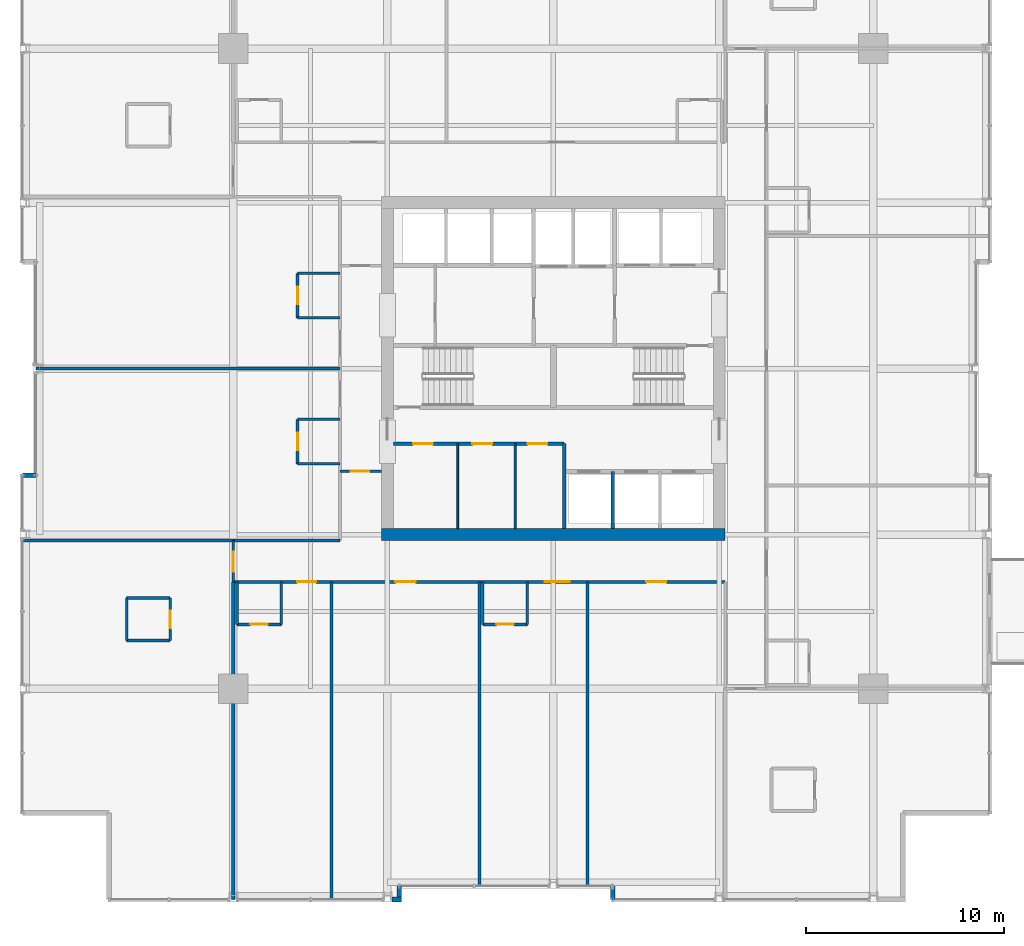
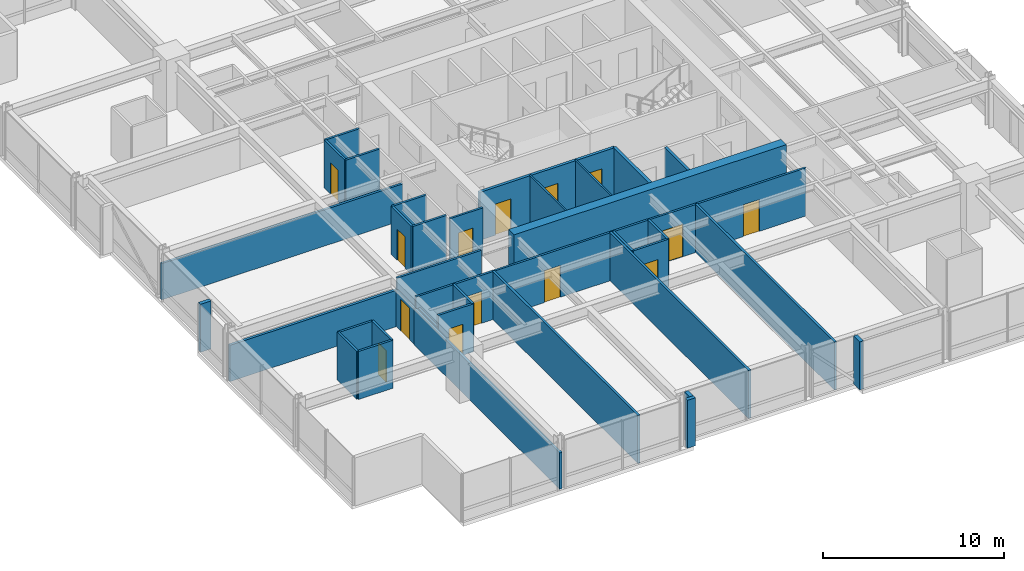
# One storey, part 28 of 34: 36 walls, 14 doors, 14 openings.
"""IFC4 building model written with IfcOpenShell, lengths in metres."""

from ifc_helpers import new_model, si_unit, direction, frame, frame_2d, origin, place, context, subcontext, project, spatial, rectangle, extrude, material, layer, layer_set, type_object, element, fill, save


model = new_model("IFC4")

# Units and contexts
model_context = context("Model", 3, precision=1e-05, world=origin(), true_north=direction((0.0, 1.0)))
body_context = subcontext(model_context, "Body", "Model", "MODEL_VIEW")
ifc_project = project(units=[si_unit("LENGTHUNIT", "METRE"), si_unit("AREAUNIT", "SQUARE_METRE"), si_unit("VOLUMEUNIT", "CUBIC_METRE"), si_unit("PLANEANGLEUNIT", "RADIAN"), si_unit("MASSUNIT", "GRAM", prefix="KILO")], contexts=[model_context])

# Site, building, storey
site_placement = place(None, origin())
site = spatial("IfcSite", under=ifc_project, at=site_placement, CompositionType="ELEMENT")
building_placement = place(site_placement, origin())
building = spatial("IfcBuilding", under=site, at=building_placement, Name="Drelvath Grand Hotel", CompositionType="ELEMENT")
storey_placement = place(building_placement, frame((0.0, 0.0, 116.300048828125)))
storey = spatial("IfcBuildingStorey", under=building, at=storey_placement, Name="L29", CompositionType="ELEMENT", Elevation=116.300048828125)

# Walls
ifc_material_1 = material(Name="Gypsum Partition Board")
ifc_layer_1 = layer(ifc_material_1, 0.10009765625)
ifc_layer_set_1 = layer_set([ifc_layer_1], Name="Gypsum Partition Board")
wall_type_1 = type_object("IfcWallType", Name="Core Closet Partition 100", PredefinedType="PARTITIONING", material=ifc_layer_set_1)
for number, where, z_axis, x_axis, name in (
    (1, (-4.840087890625, 18.89990234375, 0.0), (0.0, 0.0, 1.0), (0.0, 1.0, 0.0), "L29 Reclaimed Split 1"),
    (2, (-1.93994140625, 18.89990234375, 0.0), (0.0, 0.0, 1.0), (0.0, 1.0, 0.0), "L29 Reclaimed Split 2"),
):
    element("IfcWall", number, at=place(storey_placement, frame(where, z_axis=z_axis, x_axis=x_axis)), inside=storey, type_object=wall_type_1, Name=name, PredefinedType="PARTITIONING", context=body_context, shape_type="SweptSolid", body=[
        extrude(rectangle(XDim=4.300048828125, YDim=0.10009765625, at=frame_2d((2.14990234375, 0.0))), origin(), (0.0, 0.0, 1.0), 3.239990234375),
    ])
ifc_material_2 = material(Name="Concrete C40/50", Category="concrete")
ifc_layer_2 = layer(ifc_material_2, 0.199951171875)
ifc_layer_set_2 = layer_set([ifc_layer_2], Name="Concrete C40/50")
wall_type_2 = type_object("IfcWallType", Name="Core Hoistway Fire Wall 200", PredefinedType="SOLIDWALL", material=ifc_layer_set_2)
wall_1_placement = place(storey_placement, frame((0.550048828125, 18.89990234375, 0.0), z_axis=(0.0, 0.0, 1.0), x_axis=(0.0, 1.0, 0.0)))
element("IfcWall", 3, at=wall_1_placement, inside=storey, type_object=wall_type_2, Name="L29 Bank 2 West Wall", PredefinedType="SOLIDWALL", context=body_context, shape_type="SweptSolid", body=[
    extrude(rectangle(XDim=4.300048828125, YDim=0.199951171875, at=frame_2d((2.14990234375, 0.0))), origin(), (0.0, 0.0, 1.0), 3.239990234375),
])
ifc_material_3 = material(Name="Gypsum Fireboard Partition")
ifc_layer_3 = layer(ifc_material_3, 0.1650390625)
ifc_layer_set_3 = layer_set([ifc_layer_3], Name="Gypsum Fireboard Partition")
wall_type_3 = type_object("IfcWallType", Name="Core Shaft Partition 165", PredefinedType="PARTITIONING", material=ifc_layer_set_3)
wall_2_placement = place(storey_placement, frame((3.0, 18.89990234375, 0.0), z_axis=(0.0, 0.0, 1.0), x_axis=(0.0, 1.0, 0.0)))
element("IfcWall", 4, at=wall_2_placement, inside=storey, type_object=wall_type_3, Name="L29 Lift PE-4/5 Divider", PredefinedType="PARTITIONING", context=body_context, shape_type="SweptSolid", body=[
    extrude(rectangle(XDim=2.880126953125, YDim=0.1650390625, at=frame_2d((1.43994140625, 0.0))), origin(), (0.0, 0.0, 1.0), 3.239990234375),
])

# Wall, opening, door
ifc_layer_4 = layer(ifc_material_3, 0.135009765625)
ifc_layer_set_4 = layer_set([ifc_layer_4], Name="Gypsum Fireboard Partition")
wall_type_4 = type_object("IfcWallType", Name="Corridor Fire Barrier Wall 135", PredefinedType="PARTITIONING", material=ifc_layer_set_4)
wall_3_placement = place(storey_placement, frame((-10.800048828125, 21.800048828125, 0.0), z_axis=(0.0, 0.0, 1.0), x_axis=(1.0, 0.0, 0.0)))
wall_3 = element("IfcWall", 5, at=wall_3_placement, inside=storey, type_object=wall_type_4, Name="L29 West Foyer South Wall", PredefinedType="PARTITIONING", context=body_context, shape_type="SweptSolid", body=[
    extrude(rectangle(XDim=2.10009765625, YDim=0.135009765625, at=frame_2d((1.050048828125, 0.0))), origin(), (0.0, 0.0, 1.0), 3.239990234375),
])
opening_1_placement = place(wall_3_placement, frame((0.550048828125, 0.0, 0.0)))
opening_1 = element("IfcOpeningElement", 6, at=opening_1_placement, cuts=wall_3, Name="Opening D-T2G3-019", PredefinedType="OPENING", context=body_context, shape_type="SweptSolid", body=[
    extrude(rectangle(XDim=0.919921875, YDim=2.10009765625, at=frame_2d((0.4599609375, 1.050048828125))), frame((0.0, 0.077392578125, 0.0), z_axis=(0.0, -1.0, 0.0), x_axis=(1.0, 0.0, 0.0)), (0.0, 0.0, 1.0), 0.155029296875),
])
ifc_material_4 = material(Name="Painted Steel S275", Category="steel")
door_type_1 = type_object("IfcDoorType", Name="Staff Utility Door 920x2100", OperationType="NOTDEFINED", PredefinedType="DOOR", material=ifc_material_4)
door_1_placement = place(opening_1_placement, origin())
door_1 = element("IfcDoor", 7, at=door_1_placement, inside=storey, type_object=door_type_1, Name="L29 West Linen Closet Door", OperationType="SINGLE_SWING_RIGHT", OverallHeight=2.10009765625, OverallWidth=0.919921875, PredefinedType="DOOR", context=body_context, shape_type="SweptSolid", body=[
    extrude(rectangle(XDim=0.919921875, YDim=2.10009765625, at=frame_2d((0.4599609375, 1.050048828125))), frame((0.0, 0.02490234375, 0.0), z_axis=(0.0, -1.0, 0.0), x_axis=(1.0, 0.0, 0.0)), (0.0, 0.0, 1.0), 0.050048828125),
])
fill(opening_1, door_1)

# Wall
wall_4_placement = place(storey_placement, frame((-16.199951171875, 18.300048828125, 0.0), z_axis=(0.0, 0.0, 1.0), x_axis=(1.0, 0.0, 0.0)))
element("IfcWall", 8, at=wall_4_placement, inside=storey, type_object=wall_type_4, Name="L29 SW Stub North Wall", PredefinedType="PARTITIONING", context=body_context, shape_type="SweptSolid", body=[
    extrude(rectangle(XDim=5.39990234375, YDim=0.135009765625, at=frame_2d((2.699951171875, 0.0))), origin(), (0.0, 0.0, 1.0), 3.239990234375),
])

# Wall, openings, doors
wall_5_placement = place(storey_placement, frame((-16.199951171875, 16.199951171875, 0.0), z_axis=(0.0, 0.0, 1.0), x_axis=(1.0, 0.0, 0.0)))
wall_5 = element("IfcWall", 9, at=wall_5_placement, inside=storey, type_object=wall_type_4, Name="L29 South Stub Corridor Wall", PredefinedType="PARTITIONING", context=body_context, shape_type="SweptSolid", body=[
    extrude(rectangle(XDim=24.89990234375, YDim=0.135009765625, at=frame_2d((12.449951171875, 0.0))), origin(), (0.0, 0.0, 1.0), 3.239990234375),
])
opening_2_placement = place(wall_5_placement, frame((3.22509765625, 0.0, 0.0)))
opening_2 = element("IfcOpeningElement", 10, at=opening_2_placement, cuts=wall_5, Name="Opening D-T2G3-030", PredefinedType="OPENING", context=body_context, shape_type="SweptSolid", body=[
    extrude(rectangle(XDim=0.9599609375, YDim=2.14990234375, at=frame_2d((0.47998046875, 1.074951171875))), frame((0.0, 0.077392578125, 0.0), z_axis=(0.0, -1.0, 0.0), x_axis=(1.0, 0.0, 0.0)), (0.0, 0.0, 1.0), 0.155029296875),
])
opening_3_placement = place(wall_5_placement, frame((8.205078125, 0.0, 0.0)))
opening_3 = element("IfcOpeningElement", 11, at=opening_3_placement, cuts=wall_5, Name="Opening D-T2G3-031", PredefinedType="OPENING", context=body_context, shape_type="SweptSolid", body=[
    extrude(rectangle(XDim=1.02001953125, YDim=2.14990234375, at=frame_2d((0.510009765625, 1.074951171875))), frame((0.0, 0.077392578125, 0.0), z_axis=(0.0, -1.0, 0.0), x_axis=(1.0, 0.0, 0.0)), (0.0, 0.0, 1.0), 0.155029296875),
])
opening_4_placement = place(wall_5_placement, frame((15.77392578125, 0.0, 0.0)))
opening_4 = element("IfcOpeningElement", 12, at=opening_4_placement, cuts=wall_5, Name="Opening D-T2G3-033", PredefinedType="OPENING", context=body_context, shape_type="SweptSolid", body=[
    extrude(rectangle(XDim=1.260009765625, YDim=2.199951171875, at=frame_2d((0.6298828125, 1.10009765625))), frame((0.0, 0.077392578125, 0.0), z_axis=(0.0, -1.0, 0.0), x_axis=(1.0, 0.0, 0.0)), (0.0, 0.0, 1.0), 0.155029296875),
])
opening_5_placement = place(wall_5_placement, frame((20.904052734375, 0.0, 0.0)))
opening_5 = element("IfcOpeningElement", 13, at=opening_5_placement, cuts=wall_5, Name="Opening D-T2G3-034", PredefinedType="OPENING", context=body_context, shape_type="SweptSolid", body=[
    extrude(rectangle(XDim=1.02001953125, YDim=2.14990234375, at=frame_2d((0.510009765625, 1.074951171875))), frame((0.0, 0.077392578125, 0.0), z_axis=(0.0, -1.0, 0.0), x_axis=(1.0, 0.0, 0.0)), (0.0, 0.0, 1.0), 0.155029296875),
])
ifc_material_5 = material(Name="Hardwood Walnut Timber", Category="wood")
door_type_2 = type_object("IfcDoorType", Name="Amenity Meeting Fire Door 1020x2150", OperationType="NOTDEFINED", PredefinedType="DOOR", material=ifc_material_5)
door_2_placement = place(opening_3_placement, origin())
door_2 = element("IfcDoor", 14, at=door_2_placement, inside=storey, type_object=door_type_2, Name="L29 Spa Hydrotherapy Room Entry Door", OperationType="SINGLE_SWING_RIGHT", OverallHeight=2.14990234375, OverallWidth=1.02001953125, PredefinedType="DOOR", context=body_context, shape_type="SweptSolid", body=[
    extrude(rectangle(XDim=1.02001953125, YDim=2.14990234375, at=frame_2d((0.510009765625, 1.074951171875))), frame((0.0, 0.02490234375, 0.0), z_axis=(0.0, -1.0, 0.0), x_axis=(1.0, 0.0, 0.0)), (0.0, 0.0, 1.0), 0.050048828125),
])
fill(opening_3, door_2)
door_3_placement = place(opening_5_placement, origin())
door_3 = element("IfcDoor", 15, at=door_3_placement, inside=storey, type_object=door_type_2, Name="L29 Massage Therapy Room Entry Door", OperationType="SINGLE_SWING_LEFT", OverallHeight=2.14990234375, OverallWidth=1.02001953125, PredefinedType="DOOR", context=body_context, shape_type="SweptSolid", body=[
    extrude(rectangle(XDim=1.02001953125, YDim=2.14990234375, at=frame_2d((0.510009765625, 1.074951171875))), frame((0.0, 0.02490234375, 0.0), z_axis=(0.0, -1.0, 0.0), x_axis=(1.0, 0.0, 0.0)), (0.0, 0.0, 1.0), 0.050048828125),
])
fill(opening_5, door_3)
door_type_3 = type_object("IfcDoorType", Name="Guestroom Entrance Fire Door 960x2150", OperationType="NOTDEFINED", PredefinedType="DOOR", material=ifc_material_5)
door_4_placement = place(opening_2_placement, origin())
door_4 = element("IfcDoor", 16, at=door_4_placement, inside=storey, type_object=door_type_3, Name="L29 Deluxe Guest Room Entry Door", OperationType="SINGLE_SWING_LEFT", OverallHeight=2.14990234375, OverallWidth=0.9599609375, PredefinedType="DOOR", context=body_context, shape_type="SweptSolid", body=[
    extrude(rectangle(XDim=0.9599609375, YDim=2.14990234375, at=frame_2d((0.47998046875, 1.074951171875))), frame((0.0, 0.02490234375, 0.0), z_axis=(0.0, -1.0, 0.0), x_axis=(1.0, 0.0, 0.0)), (0.0, 0.0, 1.0), 0.050048828125),
])
fill(opening_2, door_4)
door_type_4 = type_object("IfcDoorType", Name="Suite Entrance Fire Door 1260x2200", OperationType="NOTDEFINED", PredefinedType="DOOR", material=ifc_material_5)
door_5_placement = place(opening_4_placement, origin())
door_5 = element("IfcDoor", 17, at=door_5_placement, inside=storey, type_object=door_type_4, Name="L29 Corner Suite Entry Door", OperationType="SINGLE_SWING_RIGHT", OverallHeight=2.199951171875, OverallWidth=1.260009765625, PredefinedType="DOOR", context=body_context, shape_type="SweptSolid", body=[
    extrude(rectangle(XDim=1.260009765625, YDim=2.199951171875, at=frame_2d((0.6298828125, 1.10009765625))), frame((0.0, 0.02490234375, 0.0), z_axis=(0.0, -1.0, 0.0), x_axis=(1.0, 0.0, 0.0)), (0.0, 0.0, 1.0), 0.050048828125),
])
fill(opening_4, door_5)

# Wall, opening, door
wall_6_placement = place(storey_placement, frame((-16.199951171875, 16.199951171875, 0.0), z_axis=(0.0, 0.0, 1.0), x_axis=(0.0, 1.0, 0.0)))
wall_6 = element("IfcWall", 18, at=wall_6_placement, inside=storey, type_object=wall_type_4, Name="L29 South Stub West End", PredefinedType="PARTITIONING", context=body_context, shape_type="SweptSolid", body=[
    extrude(rectangle(XDim=2.10009765625, YDim=0.135009765625, at=frame_2d((1.050048828125, 0.0))), origin(), (0.0, 0.0, 1.0), 2.45166015625),
])
opening_6_placement = place(wall_6_placement, frame((0.52001953125, 0.0, 0.0)))
opening_6 = element("IfcOpeningElement", 19, at=opening_6_placement, cuts=wall_6, Name="Opening D-T2G3-022", PredefinedType="OPENING", context=body_context, shape_type="SweptSolid", body=[
    extrude(rectangle(XDim=1.02001953125, YDim=2.14990234375, at=frame_2d((0.510009765625, 1.074951171875))), frame((0.0, 0.077392578125, 0.0), z_axis=(0.0, -1.0, 0.0), x_axis=(1.0, 0.0, 0.0)), (0.0, 0.0, 1.0), 0.155029296875),
])
door_6_placement = place(opening_6_placement, origin())
door_6 = element("IfcDoor", 20, at=door_6_placement, inside=storey, type_object=door_type_2, Name="L29 Corner Suite Entry Door", OperationType="SINGLE_SWING_LEFT", OverallHeight=2.14990234375, OverallWidth=1.02001953125, PredefinedType="DOOR", context=body_context, shape_type="SweptSolid", body=[
    extrude(rectangle(XDim=1.02001953125, YDim=2.14990234375, at=frame_2d((0.510009765625, 1.074951171875))), frame((0.0, 0.02490234375, 0.0), z_axis=(0.0, -1.0, 0.0), x_axis=(1.0, 0.0, 0.0)), (0.0, 0.0, 1.0), 0.050048828125),
])
fill(opening_6, door_6)

# Walls
ifc_material_6 = material(Name="Moisture-Resistant Gypsum Board")
ifc_layer_5 = layer(ifc_material_6, 0.139892578125)
ifc_layer_set_5 = layer_set([ifc_layer_5], Name="Moisture-Resistant Gypsum Board")
wall_type_5 = type_object("IfcWallType", Name="En-Suite Plumbing Wall 140", PredefinedType="PLUMBINGWALL", material=ifc_layer_set_5)
for number, where, z_axis, x_axis, name in (
    (21, (-21.60009765625, 13.239990234375, 0.0), (0.0, 0.0, 1.0), (1.0, 0.0, 0.0), "L29 Corner En-Suite South"),
    (22, (-21.60009765625, 15.389892578125, 0.0), (0.0, 0.0, 1.0), (1.0, 0.0, 0.0), "L29 Corner En-Suite North"),
):
    element("IfcWall", number, at=place(storey_placement, frame(where, z_axis=z_axis, x_axis=x_axis)), inside=storey, type_object=wall_type_5, Name=name, PredefinedType="PLUMBINGWALL", context=body_context, shape_type="SweptSolid", body=[
        extrude(rectangle(XDim=2.2001953125, YDim=0.139892578125, at=frame_2d((1.10009765625, 0.0))), origin(), (0.0, 0.0, 1.0), 3.239990234375),
    ])
wall_7_placement = place(storey_placement, frame((-21.60009765625, 13.239990234375, 0.0), z_axis=(0.0, 0.0, 1.0), x_axis=(0.0, 1.0, 0.0)))
element("IfcWall", 23, at=wall_7_placement, inside=storey, type_object=wall_type_5, Name="L29 Corner En-Suite West", PredefinedType="PLUMBINGWALL", context=body_context, shape_type="SweptSolid", body=[
    extrude(rectangle(XDim=2.14990234375, YDim=0.139892578125, at=frame_2d((1.074951171875, 0.0))), origin(), (0.0, 0.0, 1.0), 3.239990234375),
])

# Wall, opening, door
wall_8_placement = place(storey_placement, frame((-19.39990234375, 13.239990234375, 0.0), z_axis=(0.0, 0.0, 1.0), x_axis=(0.0, 1.0, 0.0)))
wall_8 = element("IfcWall", 24, at=wall_8_placement, inside=storey, type_object=wall_type_5, Name="L29 Corner En-Suite East", PredefinedType="PLUMBINGWALL", context=body_context, shape_type="SweptSolid", body=[
    extrude(rectangle(XDim=2.14990234375, YDim=0.139892578125, at=frame_2d((1.074951171875, 0.0))), origin(), (0.0, 0.0, 1.0), 3.239990234375),
])
opening_7_placement = place(wall_8_placement, frame((0.6201171875, 0.0, 0.0)))
opening_7 = element("IfcOpeningElement", 25, at=opening_7_placement, cuts=wall_8, Name="Opening D-T2G3-021", PredefinedType="OPENING", context=body_context, shape_type="SweptSolid", body=[
    extrude(rectangle(XDim=0.8798828125, YDim=2.10009765625, at=frame_2d((0.43994140625, 1.050048828125))), frame((0.0, 0.079833984375, 0.0), z_axis=(0.0, -1.0, 0.0), x_axis=(1.0, 0.0, 0.0)), (0.0, 0.0, 1.0), 0.159912109375),
])
door_type_5 = type_object("IfcDoorType", Name="En-Suite Bathroom Door 880x2100", OperationType="NOTDEFINED", PredefinedType="DOOR", material=ifc_material_5)
door_7_placement = place(opening_7_placement, origin())
door_7 = element("IfcDoor", 26, at=door_7_placement, inside=storey, type_object=door_type_5, Name="L29 Corner En-Suite Door", OperationType="SINGLE_SWING_RIGHT", OverallHeight=2.10009765625, OverallWidth=0.8798828125, PredefinedType="DOOR", context=body_context, shape_type="SweptSolid", body=[
    extrude(rectangle(XDim=0.8798828125, YDim=2.10009765625, at=frame_2d((0.43994140625, 1.050048828125))), frame((0.0, 0.02490234375, 0.0), z_axis=(0.0, -1.0, 0.0), x_axis=(1.0, 0.0, 0.0)), (0.0, 0.0, 1.0), 0.050048828125),
])
fill(opening_7, door_7)

# Walls
wall_9_placement = place(storey_placement, frame((-16.02001953125, 16.199951171875, 0.0), z_axis=(0.0, 0.0, 1.0), x_axis=(0.0, -1.0, 0.0)))
element("IfcWall", 27, at=wall_9_placement, inside=storey, type_object=wall_type_5, Name="L29 En-Suite Left Wall", PredefinedType="PLUMBINGWALL", context=body_context, shape_type="SweptSolid", body=[
    extrude(rectangle(XDim=2.14990234375, YDim=0.139892578125, at=frame_2d((1.074951171875, 0.0))), origin(), (0.0, 0.0, 1.0), 2.45166015625),
])
wall_10_placement = place(storey_placement, frame((-13.77001953125, 16.199951171875, 0.0), z_axis=(0.0, 0.0, 1.0), x_axis=(0.0, -1.0, 0.0)))
element("IfcWall", 28, at=wall_10_placement, inside=storey, type_object=wall_type_5, Name="L29 En-Suite Right Wall", PredefinedType="PLUMBINGWALL", context=body_context, shape_type="SweptSolid", body=[
    extrude(rectangle(XDim=2.14990234375, YDim=0.139892578125, at=frame_2d((1.074951171875, 0.0))), origin(), (0.0, 0.0, 1.0), 3.239990234375),
])

# Wall, opening, door
wall_11_placement = place(storey_placement, frame((-16.02001953125, 14.050048828125, 0.0), z_axis=(0.0, 0.0, 1.0), x_axis=(1.0, 0.0, 0.0)))
wall_11 = element("IfcWall", 29, at=wall_11_placement, inside=storey, type_object=wall_type_5, Name="L29 En-Suite Front Wall", PredefinedType="PLUMBINGWALL", context=body_context, shape_type="SweptSolid", body=[
    extrude(rectangle(XDim=2.25, YDim=0.139892578125, at=frame_2d((1.125, 0.0))), origin(), (0.0, 0.0, 1.0), 3.239990234375),
])
opening_8_placement = place(wall_11_placement, frame((0.68505859375, 0.0, 0.0)))
opening_8 = element("IfcOpeningElement", 30, at=opening_8_placement, cuts=wall_11, Name="Opening D-T2G3-029", PredefinedType="OPENING", context=body_context, shape_type="SweptSolid", body=[
    extrude(rectangle(XDim=0.8798828125, YDim=2.10009765625, at=frame_2d((0.43994140625, 1.050048828125))), frame((0.0, 0.079833984375, 0.0), z_axis=(0.0, -1.0, 0.0), x_axis=(1.0, 0.0, 0.0)), (0.0, 0.0, 1.0), 0.159912109375),
])
door_8_placement = place(opening_8_placement, origin())
door_8 = element("IfcDoor", 31, at=door_8_placement, inside=storey, type_object=door_type_5, Name="L29 En-Suite Bathroom Door", OperationType="SINGLE_SWING_RIGHT", OverallHeight=2.10009765625, OverallWidth=0.8798828125, PredefinedType="DOOR", context=body_context, shape_type="SweptSolid", body=[
    extrude(rectangle(XDim=0.8798828125, YDim=2.10009765625, at=frame_2d((0.43994140625, 1.050048828125))), frame((0.0, 0.02490234375, 0.0), z_axis=(0.0, -1.0, 0.0), x_axis=(1.0, 0.0, 0.0)), (0.0, 0.0, 1.0), 0.050048828125),
])
fill(opening_8, door_8)

# Walls
for number, where, z_axis, x_axis, name in (
    (32, (-3.570068359375, 16.199951171875, 0.0), (0.0, 0.0, 1.0), (0.0, -1.0, 0.0), "L29 En-Suite Left Wall"),
    (33, (-1.320068359375, 16.199951171875, 0.0), (0.0, 0.0, 1.0), (0.0, -1.0, 0.0), "L29 En-Suite Right Wall"),
):
    element("IfcWall", number, at=place(storey_placement, frame(where, z_axis=z_axis, x_axis=x_axis)), inside=storey, type_object=wall_type_5, Name=name, PredefinedType="PLUMBINGWALL", context=body_context, shape_type="SweptSolid", body=[
        extrude(rectangle(XDim=2.14990234375, YDim=0.139892578125, at=frame_2d((1.074951171875, 0.0))), origin(), (0.0, 0.0, 1.0), 3.239990234375),
    ])

# Wall, opening, door
wall_12_placement = place(storey_placement, frame((-3.570068359375, 14.050048828125, 0.0), z_axis=(0.0, 0.0, 1.0), x_axis=(1.0, 0.0, 0.0)))
wall_12 = element("IfcWall", 34, at=wall_12_placement, inside=storey, type_object=wall_type_5, Name="L29 En-Suite Front Wall", PredefinedType="PLUMBINGWALL", context=body_context, shape_type="SweptSolid", body=[
    extrude(rectangle(XDim=2.25, YDim=0.139892578125, at=frame_2d((1.125, 0.0))), origin(), (0.0, 0.0, 1.0), 3.239990234375),
])
opening_9_placement = place(wall_12_placement, frame((0.68505859375, 0.0, 0.0)))
opening_9 = element("IfcOpeningElement", 35, at=opening_9_placement, cuts=wall_12, Name="Opening D-T2G3-032", PredefinedType="OPENING", context=body_context, shape_type="SweptSolid", body=[
    extrude(rectangle(XDim=0.8798828125, YDim=2.10009765625, at=frame_2d((0.43994140625, 1.050048828125))), frame((0.0, 0.079833984375, 0.0), z_axis=(0.0, -1.0, 0.0), x_axis=(1.0, 0.0, 0.0)), (0.0, 0.0, 1.0), 0.159912109375),
])
door_9_placement = place(opening_9_placement, origin())
door_9 = element("IfcDoor", 36, at=door_9_placement, inside=storey, type_object=door_type_5, Name="L29 En-Suite Bathroom Door", OperationType="SINGLE_SWING_LEFT", OverallHeight=2.10009765625, OverallWidth=0.8798828125, PredefinedType="DOOR", context=body_context, shape_type="SweptSolid", body=[
    extrude(rectangle(XDim=0.8798828125, YDim=2.10009765625, at=frame_2d((0.43994140625, 1.050048828125))), frame((0.0, 0.02490234375, 0.0), z_axis=(0.0, -1.0, 0.0), x_axis=(1.0, 0.0, 0.0)), (0.0, 0.0, 1.0), 0.050048828125),
])
fill(opening_9, door_9)

# Walls
for number, where, z_axis, x_axis, name in (
    (37, (-10.800048828125, 22.179931640625, 0.0), (0.0, 0.0, 1.0), (-1.0, 0.0, 0.0), "L29 En-Suite Left Wall"),
    (38, (-10.800048828125, 24.429931640625, 0.0), (0.0, 0.0, 1.0), (-1.0, 0.0, 0.0), "L29 En-Suite Right Wall"),
):
    element("IfcWall", number, at=place(storey_placement, frame(where, z_axis=z_axis, x_axis=x_axis)), inside=storey, type_object=wall_type_5, Name=name, PredefinedType="PLUMBINGWALL", context=body_context, shape_type="SweptSolid", body=[
        extrude(rectangle(XDim=2.14990234375, YDim=0.139892578125, at=frame_2d((1.074951171875, 0.0))), origin(), (0.0, 0.0, 1.0), 3.239990234375),
    ])

# Wall, opening, door
wall_13_placement = place(storey_placement, frame((-12.949951171875, 22.179931640625, 0.0), z_axis=(0.0, 0.0, 1.0), x_axis=(0.0, 1.0, 0.0)))
wall_13 = element("IfcWall", 39, at=wall_13_placement, inside=storey, type_object=wall_type_5, Name="L29 En-Suite Front Wall", PredefinedType="PLUMBINGWALL", context=body_context, shape_type="SweptSolid", body=[
    extrude(rectangle(XDim=2.25, YDim=0.139892578125, at=frame_2d((1.125, 0.0))), origin(), (0.0, 0.0, 1.0), 3.239990234375),
])
opening_10_placement = place(wall_13_placement, frame((0.68505859375, 0.0, 0.0)))
opening_10 = element("IfcOpeningElement", 40, at=opening_10_placement, cuts=wall_13, Name="Opening D-T2G3-044", PredefinedType="OPENING", context=body_context, shape_type="SweptSolid", body=[
    extrude(rectangle(XDim=0.8798828125, YDim=2.10009765625, at=frame_2d((0.43994140625, 1.050048828125))), frame((0.0, 0.079833984375, 0.0), z_axis=(0.0, -1.0, 0.0), x_axis=(1.0, 0.0, 0.0)), (0.0, 0.0, 1.0), 0.159912109375),
])
door_10_placement = place(opening_10_placement, origin())
door_10 = element("IfcDoor", 41, at=door_10_placement, inside=storey, type_object=door_type_5, Name="L29 En-Suite Bathroom Door", OperationType="SINGLE_SWING_LEFT", OverallHeight=2.10009765625, OverallWidth=0.8798828125, PredefinedType="DOOR", context=body_context, shape_type="SweptSolid", body=[
    extrude(rectangle(XDim=0.8798828125, YDim=2.10009765625, at=frame_2d((0.43994140625, 1.050048828125))), frame((0.0, 0.02490234375, 0.0), z_axis=(0.0, -1.0, 0.0), x_axis=(1.0, 0.0, 0.0)), (0.0, 0.0, 1.0), 0.050048828125),
])
fill(opening_10, door_10)

# Walls
for number, where, z_axis, x_axis, name in (
    (42, (-10.800048828125, 29.570068359375, 0.0), (0.0, 0.0, 1.0), (-1.0, 0.0, 0.0), "L29 En-Suite Left Wall"),
    (43, (-10.800048828125, 31.820068359375, 0.0), (0.0, 0.0, 1.0), (-1.0, 0.0, 0.0), "L29 En-Suite Right Wall"),
):
    element("IfcWall", number, at=place(storey_placement, frame(where, z_axis=z_axis, x_axis=x_axis)), inside=storey, type_object=wall_type_5, Name=name, PredefinedType="PLUMBINGWALL", context=body_context, shape_type="SweptSolid", body=[
        extrude(rectangle(XDim=2.14990234375, YDim=0.139892578125, at=frame_2d((1.074951171875, 0.0))), origin(), (0.0, 0.0, 1.0), 3.239990234375),
    ])

# Wall, opening, door
wall_14_placement = place(storey_placement, frame((-12.949951171875, 29.570068359375, 0.0), z_axis=(0.0, 0.0, 1.0), x_axis=(0.0, 1.0, 0.0)))
wall_14 = element("IfcWall", 44, at=wall_14_placement, inside=storey, type_object=wall_type_5, Name="L29 En-Suite Front Wall", PredefinedType="PLUMBINGWALL", context=body_context, shape_type="SweptSolid", body=[
    extrude(rectangle(XDim=2.25, YDim=0.139892578125, at=frame_2d((1.125, 0.0))), origin(), (0.0, 0.0, 1.0), 3.239990234375),
])
opening_11_placement = place(wall_14_placement, frame((0.68505859375, 0.0, 0.0)))
opening_11 = element("IfcOpeningElement", 45, at=opening_11_placement, cuts=wall_14, Name="Opening D-T2G3-046", PredefinedType="OPENING", context=body_context, shape_type="SweptSolid", body=[
    extrude(rectangle(XDim=0.8798828125, YDim=2.10009765625, at=frame_2d((0.43994140625, 1.050048828125))), frame((0.0, 0.079833984375, 0.0), z_axis=(0.0, -1.0, 0.0), x_axis=(1.0, 0.0, 0.0)), (0.0, 0.0, 1.0), 0.159912109375),
])
door_11_placement = place(opening_11_placement, origin())
door_11 = element("IfcDoor", 46, at=door_11_placement, inside=storey, type_object=door_type_5, Name="L29 En-Suite Bathroom Door", OperationType="SINGLE_SWING_LEFT", OverallHeight=2.10009765625, OverallWidth=0.8798828125, PredefinedType="DOOR", context=body_context, shape_type="SweptSolid", body=[
    extrude(rectangle(XDim=0.8798828125, YDim=2.10009765625, at=frame_2d((0.43994140625, 1.050048828125))), frame((0.0, 0.02490234375, 0.0), z_axis=(0.0, -1.0, 0.0), x_axis=(1.0, 0.0, 0.0)), (0.0, 0.0, 1.0), 0.050048828125),
])
fill(opening_11, door_11)

# Wall, openings, doors
ifc_layer_6 = layer(ifc_material_3, 0.179931640625)
ifc_layer_set_6 = layer_set([ifc_layer_6], Name="Gypsum Fireboard Partition")
wall_type_6 = type_object("IfcWallType", Name="FSAE Smoke Lobby Fire Wall 180", PredefinedType="SOLIDWALL", material=ifc_layer_set_6)
wall_15_placement = place(storey_placement, frame((-8.10009765625, 23.199951171875, 0.0), z_axis=(0.0, 0.0, 1.0), x_axis=(1.0, 0.0, 0.0)))
wall_15 = element("IfcWall", 47, at=wall_15_placement, inside=storey, type_object=wall_type_6, Name="L29 Reclaimed Core Room Wall", PredefinedType="SOLIDWALL", context=body_context, shape_type="SweptSolid", body=[
    extrude(rectangle(XDim=8.650146484375, YDim=0.179931640625, at=frame_2d((4.3251953125, 0.0))), origin(), (0.0, 0.0, 1.0), 3.239990234375),
])
opening_12_placement = place(wall_15_placement, frame((1.0, 0.0, 0.0)))
opening_12 = element("IfcOpeningElement", 48, at=opening_12_placement, cuts=wall_15, Name="Opening D-T2G3-016", PredefinedType="OPENING", context=body_context, shape_type="SweptSolid", body=[
    extrude(rectangle(XDim=1.0, YDim=2.10009765625, at=frame_2d((0.5, 1.050048828125))), frame((0.0, 0.099853515625, 0.0), z_axis=(0.0, -1.0, 0.0), x_axis=(1.0, 0.0, 0.0)), (0.0, 0.0, 1.0), 0.199951171875),
])
opening_13_placement = place(wall_15_placement, frame((4.0, 0.0, 0.0)))
opening_13 = element("IfcOpeningElement", 49, at=opening_13_placement, cuts=wall_15, Name="Opening D-T2G3-017", PredefinedType="OPENING", context=body_context, shape_type="SweptSolid", body=[
    extrude(rectangle(XDim=1.0, YDim=2.10009765625, at=frame_2d((0.5, 1.050048828125))), frame((0.0, 0.099853515625, 0.0), z_axis=(0.0, -1.0, 0.0), x_axis=(1.0, 0.0, 0.0)), (0.0, 0.0, 1.0), 0.199951171875),
])
opening_14_placement = place(wall_15_placement, frame((6.800048828125, 0.0, 0.0)))
opening_14 = element("IfcOpeningElement", 50, at=opening_14_placement, cuts=wall_15, Name="Opening D-T2G3-018", PredefinedType="OPENING", context=body_context, shape_type="SweptSolid", body=[
    extrude(rectangle(XDim=1.0, YDim=2.10009765625, at=frame_2d((0.5, 1.050048828125))), frame((0.0, 0.099853515625, 0.0), z_axis=(0.0, -1.0, 0.0), x_axis=(1.0, 0.0, 0.0)), (0.0, 0.0, 1.0), 0.199951171875),
])
door_type_6 = type_object("IfcDoorType", Name="Core Service Fire Door 1000x2100", OperationType="NOTDEFINED", PredefinedType="DOOR", material=ifc_material_4)
door_12_placement = place(opening_12_placement, origin())
door_12 = element("IfcDoor", 51, at=door_12_placement, inside=storey, type_object=door_type_6, Name="L29 Housekeeping Door", OperationType="SINGLE_SWING_LEFT", OverallHeight=2.10009765625, OverallWidth=1.0, PredefinedType="DOOR", context=body_context, shape_type="SweptSolid", body=[
    extrude(rectangle(XDim=1.0, YDim=2.10009765625, at=frame_2d((0.5, 1.050048828125))), frame((0.0, 0.02490234375, 0.0), z_axis=(0.0, -1.0, 0.0), x_axis=(1.0, 0.0, 0.0)), (0.0, 0.0, 1.0), 0.050048828125),
])
fill(opening_12, door_12)
door_13_placement = place(opening_13_placement, origin())
door_13 = element("IfcDoor", 52, at=door_13_placement, inside=storey, type_object=door_type_6, Name="L29 Pantry Door", OperationType="SINGLE_SWING_RIGHT", OverallHeight=2.10009765625, OverallWidth=1.0, PredefinedType="DOOR", context=body_context, shape_type="SweptSolid", body=[
    extrude(rectangle(XDim=1.0, YDim=2.10009765625, at=frame_2d((0.5, 1.050048828125))), frame((0.0, 0.02490234375, 0.0), z_axis=(0.0, -1.0, 0.0), x_axis=(1.0, 0.0, 0.0)), (0.0, 0.0, 1.0), 0.050048828125),
])
fill(opening_13, door_13)
door_14_placement = place(opening_14_placement, origin())
door_14 = element("IfcDoor", 53, at=door_14_placement, inside=storey, type_object=door_type_6, Name="L29 Luggage Store Door", OperationType="SINGLE_SWING_LEFT", OverallHeight=2.10009765625, OverallWidth=1.0, PredefinedType="DOOR", context=body_context, shape_type="SweptSolid", body=[
    extrude(rectangle(XDim=1.0, YDim=2.10009765625, at=frame_2d((0.5, 1.050048828125))), frame((0.0, 0.02490234375, 0.0), z_axis=(0.0, -1.0, 0.0), x_axis=(1.0, 0.0, 0.0)), (0.0, 0.0, 1.0), 0.050048828125),
])
fill(opening_14, door_14)

# Walls
ifc_material_7 = material(Name="Gypsum Acoustic Partition")
ifc_layer_7 = layer(ifc_material_7, 0.14990234375)
ifc_layer_set_7 = layer_set([ifc_layer_7], Name="Gypsum Acoustic Partition")
wall_type_7 = type_object("IfcWallType", Name="Guestroom Demising Wall 150", PredefinedType="PARTITIONING", material=ifc_layer_set_7)
wall_16_placement = place(storey_placement, frame((-11.219970703125, 0.1201171875, 0.0), z_axis=(0.0, 0.0, 1.0), x_axis=(0.0, 1.0, 0.0)))
element("IfcWall", 54, at=wall_16_placement, inside=storey, type_object=wall_type_7, Name="L29 South Demising 1", PredefinedType="PARTITIONING", context=body_context, shape_type="SweptSolid", body=[
    extrude(rectangle(XDim=16.079833984375, YDim=0.14990234375, at=frame_2d((8.0400390625, 0.0))), origin(), (0.0, 0.0, 1.0), 3.239990234375),
])
for number, where, z_axis, x_axis, name in (
    (55, (-3.75, 0.800048828125, 0.0), (0.0, 0.0, 1.0), (0.0, 1.0, 0.0), "L29 South Demising 2"),
    (56, (1.72802734375, 0.800048828125, 0.0), (0.0, 0.0, 1.0), (0.0, 1.0, 0.0), "L29 South Demising 3"),
):
    element("IfcWall", number, at=place(storey_placement, frame(where, z_axis=z_axis, x_axis=x_axis)), inside=storey, type_object=wall_type_7, Name=name, PredefinedType="PARTITIONING", context=body_context, shape_type="SweptSolid", body=[
        extrude(rectangle(XDim=15.39990234375, YDim=0.14990234375, at=frame_2d((7.699951171875, 0.0))), origin(), (0.0, 0.0, 1.0), 3.239990234375),
    ])
wall_17_placement = place(storey_placement, frame((-26.199951171875, 27.0, 0.0), z_axis=(0.0, 0.0, 1.0), x_axis=(1.0, 0.0, 0.0)))
element("IfcWall", 57, at=wall_17_placement, inside=storey, type_object=wall_type_7, Name="L29 West Suite Demising Wall", PredefinedType="PARTITIONING", context=body_context, shape_type="SweptSolid", body=[
    extrude(rectangle(XDim=15.39990234375, YDim=0.14990234375, at=frame_2d((7.699951171875, 0.0))), origin(), (0.0, 0.0, 1.0), 2.45166015625),
])
ifc_material_8 = material(Name="Concrete f'c 70 MPa", Category="concrete")
ifc_layer_8 = layer(ifc_material_8, 0.60009765625)
ifc_layer_set_8 = layer_set([ifc_layer_8], Name="Concrete f'c 70 MPa")
wall_type_8 = type_object("IfcWallType", Name="Lower Core RC Shear Wall 600", PredefinedType="SHEAR", material=ifc_layer_set_8)
wall_18_placement = place(storey_placement, frame((8.699951171875, 18.60009765625, 0.0), z_axis=(0.0, 0.0, 1.0), x_axis=(-1.0, 0.0, 0.0)))
element("IfcWall", 58, at=wall_18_placement, inside=storey, type_object=wall_type_8, Name="L29 Central Core Shear Wall S", PredefinedType="SHEAR", context=body_context, shape_type="SweptSolid", body=[
    extrude(rectangle(XDim=17.39990234375, YDim=0.60009765625, at=frame_2d((8.699951171875, 0.0))), origin(), (0.0, 0.0, 1.0), 3.5),
])
ifc_layer_9 = layer(ifc_material_7, 0.1650390625)
ifc_layer_set_9 = layer_set([ifc_layer_9], Name="Gypsum Acoustic Partition")
wall_type_9 = type_object("IfcWallType", Name="Suite Demising Wall 165", PredefinedType="PARTITIONING", material=ifc_layer_set_9)
wall_19_placement = place(storey_placement, frame((-16.199951171875, 0.1201171875, 0.0), z_axis=(0.0, 0.0, 1.0), x_axis=(0.0, 1.0, 0.0)))
element("IfcWall", 59, at=wall_19_placement, inside=storey, type_object=wall_type_9, Name="L29 SW Suite East Wall", PredefinedType="PARTITIONING", context=body_context, shape_type="SweptSolid", body=[
    extrude(rectangle(XDim=16.079833984375, YDim=0.1650390625, at=frame_2d((8.0400390625, 0.0))), origin(), (0.0, 0.0, 1.0), 2.45166015625),
])
wall_20_placement = place(storey_placement, frame((-26.8798828125, 18.300048828125, 0.0), z_axis=(0.0, 0.0, 1.0), x_axis=(1.0, 0.0, 0.0)))
element("IfcWall", 60, at=wall_20_placement, inside=storey, type_object=wall_type_9, Name="L29 SW Suite North Wall", PredefinedType="PARTITIONING", context=body_context, shape_type="SweptSolid", body=[
    extrude(rectangle(XDim=10.679931640625, YDim=0.1650390625, at=frame_2d((5.33984375, 0.0))), origin(), (0.0, 0.0, 1.0), 2.45166015625),
])
ifc_material_9 = material(Name="Pale-Metal Insulated Aluminium Spandrel Assembly", Category="aluminium")
ifc_layer_10 = layer(ifc_material_9, 0.239990234375)
ifc_layer_set_10 = layer_set([ifc_layer_10], Name="Pale-Metal Insulated Aluminium Spandrel Assembly")
wall_type_10 = type_object("IfcWallType", Name="Tower Insulated Metal Spandrel Closure Wall 240", PredefinedType="STANDARD", material=ifc_layer_set_10)
wall_21_placement = place(storey_placement, frame((-7.679931640625, 0.1201171875, 0.0), z_axis=(0.0, 0.0, 1.0), x_axis=(-1.0, 0.0, 0.0)))
element("IfcWall", 61, at=wall_21_placement, inside=storey, type_object=wall_type_10, Name="L29 Corner Pier Spandrel Wall SW3", PredefinedType="STANDARD", context=body_context, shape_type="SweptSolid", body=[
    extrude(rectangle(XDim=0.50048828125, YDim=0.239990234375, at=frame_2d((0.250244140625, 0.0))), origin(), (0.0, 0.0, 1.0), 3.239990234375),
])
for number, where, z_axis, x_axis, name in (
    (62, (-26.8798828125, 21.60009765625, 0.0), (0.0, 0.0, 1.0), (1.0, 0.0, 0.0), "L29 Notched Corner Return Spandrel Wall RW1"),
    (63, (3.0, 0.1201171875, 0.0), (0.0, 0.0, 1.0), (0.0, 1.0, 0.0), "L29 Notched Corner Return Spandrel Wall RS1"),
):
    element("IfcWall", number, at=place(storey_placement, frame(where, z_axis=z_axis, x_axis=x_axis)), inside=storey, type_object=wall_type_10, Name=name, PredefinedType="STANDARD", context=body_context, shape_type="SweptSolid", body=[
        extrude(rectangle(XDim=0.679931640625, YDim=0.239990234375, at=frame_2d((0.33984375, 0.0))), origin(), (0.0, 0.0, 1.0), 3.239990234375),
    ])
wall_22_placement = place(storey_placement, frame((-7.800048828125, 0.800048828125, 0.0), z_axis=(0.0, 0.0, 1.0), x_axis=(0.0, -1.0, 0.0)))
element("IfcWall", 64, at=wall_22_placement, inside=storey, type_object=wall_type_10, Name="L29 Notched Corner Return Spandrel Wall RS2", PredefinedType="STANDARD", context=body_context, shape_type="SweptSolid", body=[
    extrude(rectangle(XDim=0.56005859375, YDim=0.239990234375, at=frame_2d((0.280029296875, 0.0))), origin(), (0.0, 0.0, 1.0), 3.239990234375),
])

save(model, "model.ifc")
